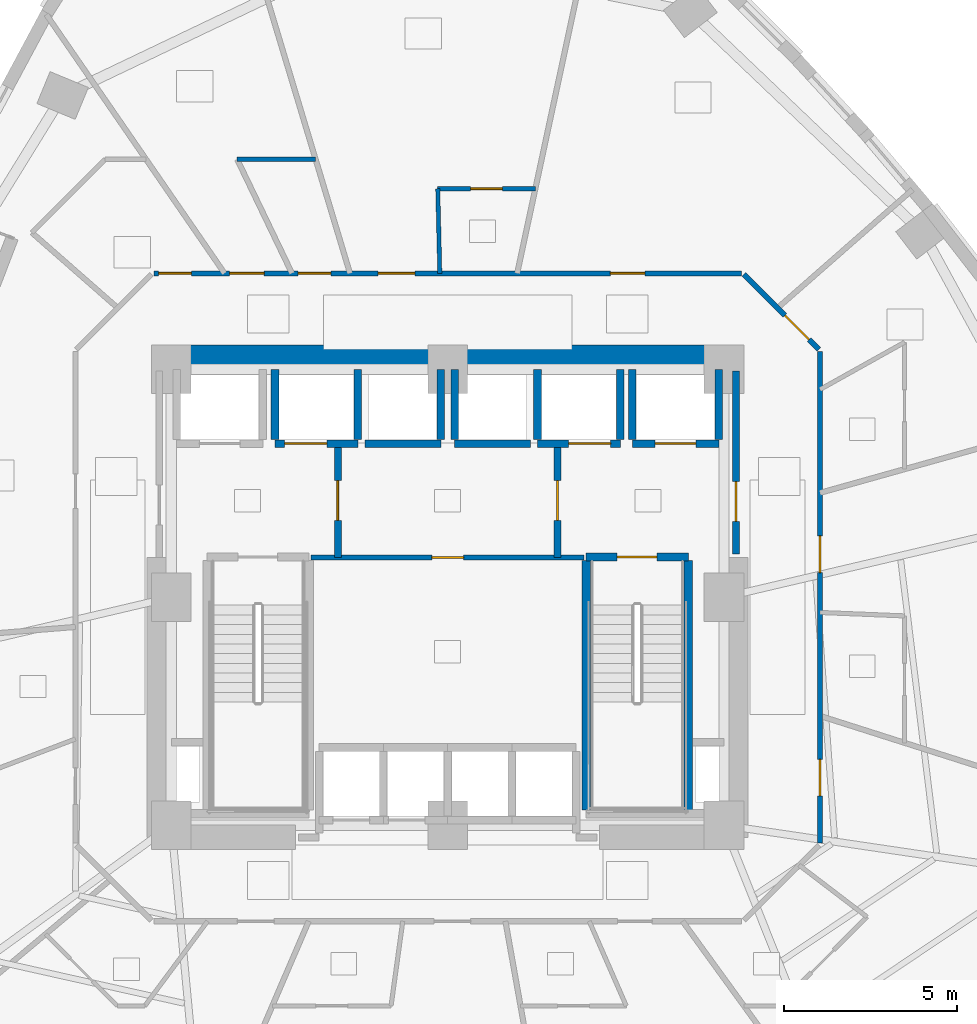
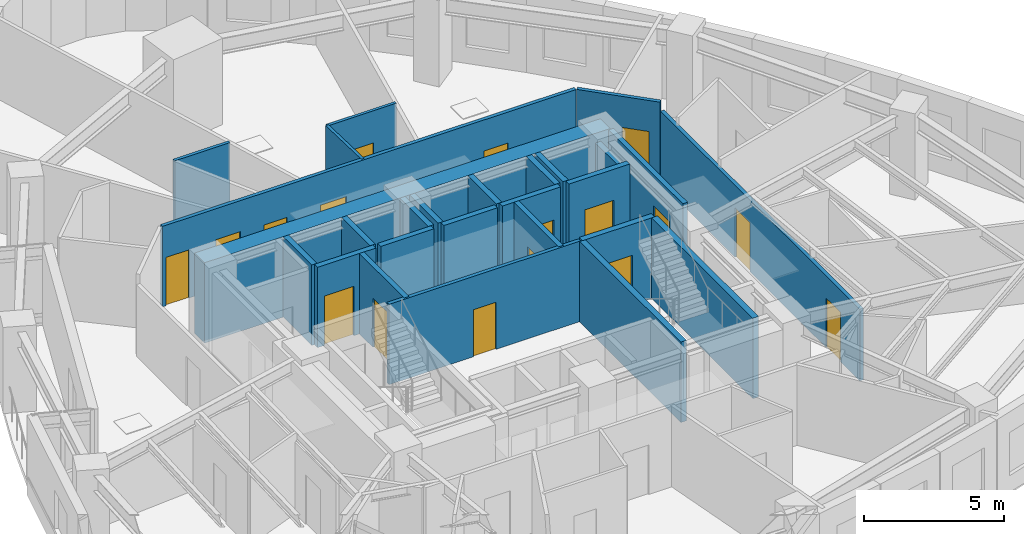
# One storey, part 7 of 12: 27 walls, 17 doors, 17 openings.
"""IFC4 building model written with IfcOpenShell, lengths in metres."""

from ifc_helpers import new_model, si_unit, direction, frame, frame_2d, origin, place, context, subcontext, project, spatial, rectangle, extrude, material, layer, layer_set, type_object, element, fill, save


model = new_model("IFC4")

# Units and contexts
model_context = context("Model", 3, precision=1e-05, world=origin(), true_north=direction((0.0, 1.0)))
body_context = subcontext(model_context, "Body", "Model", "MODEL_VIEW")
ifc_project = project(units=[si_unit("LENGTHUNIT", "METRE"), si_unit("AREAUNIT", "SQUARE_METRE"), si_unit("VOLUMEUNIT", "CUBIC_METRE"), si_unit("PLANEANGLEUNIT", "RADIAN"), si_unit("MASSUNIT", "GRAM", prefix="KILO")], contexts=[model_context])

# Site, building, storey
site_placement = place(None, origin())
site = spatial("IfcSite", under=ifc_project, at=site_placement, CompositionType="ELEMENT")
building_placement = place(site_placement, origin())
building = spatial("IfcBuilding", under=site, at=building_placement, Name="Ndelora Gate Hotel", CompositionType="ELEMENT")
storey_placement = place(building_placement, frame((0.0, 0.0, 60.5)))
storey = spatial("IfcBuildingStorey", under=building, at=storey_placement, Name="L14", CompositionType="ELEMENT", Elevation=60.5)

# Wall
ifc_material_1 = material(Name="Concrete C60/75", Category="concrete")
ifc_layer_1 = layer(ifc_material_1, 0.699951171875)
ifc_layer_set_1 = layer_set([ifc_layer_1], Name="Concrete C60/75")
wall_type_1 = type_object("IfcWallType", Name="WL-CORE-700", PredefinedType="SHEAR", material=ifc_layer_set_1)
wall_1_placement = place(storey_placement, frame((-8.35009765625, 6.949951171875, 0.0), z_axis=(0.0, 0.0, 1.0), x_axis=(1.0, 0.0, 0.0)))
element("IfcWall", 1, at=wall_1_placement, inside=storey, type_object=wall_type_1, Name="L14 Core Shear Wall N", PredefinedType="SHEAR", context=body_context, shape_type="SweptSolid", body=[
    extrude(rectangle(XDim=16.7001953125, YDim=0.699951171875, at=frame_2d((8.35009765625, 0.0))), origin(), (0.0, 0.0, 1.0), 3.5),
])

# Wall, opening, door
ifc_material_2 = material(Name="Concrete C40/50", Category="concrete")
ifc_layer_2 = layer(ifc_material_2, 0.199951171875)
ifc_layer_set_2 = layer_set([ifc_layer_2], Name="Concrete C40/50")
wall_type_2 = type_object("IfcWallType", Name="WL-FIRE-200", PredefinedType="PARTITIONING", material=ifc_layer_set_2)
wall_2_placement = place(storey_placement, frame((-3.179931640625, 1.14990234375, 0.0), z_axis=(0.0, 0.0, 1.0), x_axis=(0.0, 1.0, 0.0)))
wall_2 = element("IfcWall", 2, at=wall_2_placement, inside=storey, type_object=wall_type_2, Name="L14 Interior Wall IW-2", PredefinedType="PARTITIONING", context=body_context, shape_type="SweptSolid", body=[
    extrude(rectangle(XDim=3.300048828125, YDim=0.199951171875, at=frame_2d((1.64990234375, 0.0))), origin(), (0.0, 0.0, 1.0), 3.5),
])
opening_1_placement = place(wall_2_placement, frame((1.080078125, 0.0, 0.0)))
opening_1 = element("IfcOpeningElement", 3, at=opening_1_placement, cuts=wall_2, Name="Opening FD1", PredefinedType="OPENING", context=body_context, shape_type="SweptSolid", body=[
    extrude(rectangle(XDim=1.14990234375, YDim=2.14990234375, at=frame_2d((0.574951171875, 1.074951171875))), frame((0.0, 0.10986328125, 0.0), z_axis=(0.0, -1.0, 0.0), x_axis=(1.0, 0.0, 0.0)), (0.0, 0.0, 1.0), 0.219970703125),
])
ifc_material_3 = material(Name="Fire-Rated Timber-Veneer Steel Core", Category="steel")
door_type_1 = type_object("IfcDoorType", Name="DR-FD60", OperationType="SINGLE_SWING_LEFT", PredefinedType="DOOR", material=ifc_material_3)
door_1_placement = place(opening_1_placement, origin())
door_1 = element("IfcDoor", 4, at=door_1_placement, inside=storey, type_object=door_type_1, Name="L14 Firefighting Lobby West Door", OperationType="SINGLE_SWING_RIGHT", OverallHeight=2.14990234375, OverallWidth=1.14990234375, PredefinedType="DOOR", context=body_context, shape_type="SweptSolid", body=[
    extrude(rectangle(XDim=1.14990234375, YDim=2.14990234375, at=frame_2d((0.574951171875, 1.074951171875))), frame((0.0, 0.02490234375, 0.0), z_axis=(0.0, -1.0, 0.0), x_axis=(1.0, 0.0, 0.0)), (0.0, 0.0, 1.0), 0.050048828125),
])
fill(opening_1, door_1)

wall_3_placement = place(storey_placement, frame((3.179931640625, 1.14990234375, 0.0), z_axis=(0.0, 0.0, 1.0), x_axis=(0.0, 1.0, 0.0)))
wall_3 = element("IfcWall", 5, at=wall_3_placement, inside=storey, type_object=wall_type_2, Name="L14 Interior Wall IW-2", PredefinedType="PARTITIONING", context=body_context, shape_type="SweptSolid", body=[
    extrude(rectangle(XDim=3.300048828125, YDim=0.199951171875, at=frame_2d((1.64990234375, 0.0))), origin(), (0.0, 0.0, 1.0), 3.5),
])
opening_2_placement = place(wall_3_placement, frame((1.080078125, 0.0, 0.0)))
opening_2 = element("IfcOpeningElement", 6, at=opening_2_placement, cuts=wall_3, Name="Opening FD1", PredefinedType="OPENING", context=body_context, shape_type="SweptSolid", body=[
    extrude(rectangle(XDim=1.14990234375, YDim=2.14990234375, at=frame_2d((0.574951171875, 1.074951171875))), frame((0.0, 0.10986328125, 0.0), z_axis=(0.0, -1.0, 0.0), x_axis=(1.0, 0.0, 0.0)), (0.0, 0.0, 1.0), 0.219970703125),
])
door_2_placement = place(opening_2_placement, origin())
door_2 = element("IfcDoor", 7, at=door_2_placement, inside=storey, type_object=door_type_1, Name="L14 Firefighting Lobby East Door", OperationType="SINGLE_SWING_LEFT", OverallHeight=2.14990234375, OverallWidth=1.14990234375, PredefinedType="DOOR", context=body_context, shape_type="SweptSolid", body=[
    extrude(rectangle(XDim=1.14990234375, YDim=2.14990234375, at=frame_2d((0.574951171875, 1.074951171875))), frame((0.0, 0.02490234375, 0.0), z_axis=(0.0, -1.0, 0.0), x_axis=(1.0, 0.0, 0.0)), (0.0, 0.0, 1.0), 0.050048828125),
])
fill(opening_2, door_2)

wall_4_placement = place(storey_placement, frame((8.35009765625, 1.25, 0.0), z_axis=(0.0, 0.0, 1.0), x_axis=(0.0, 1.0, 0.0)))
wall_4 = element("IfcWall", 8, at=wall_4_placement, inside=storey, type_object=wall_type_2, Name="L14 Interior Wall IW-2", PredefinedType="PARTITIONING", context=body_context, shape_type="SweptSolid", body=[
    extrude(rectangle(XDim=5.300048828125, YDim=0.199951171875, at=frame_2d((2.64990234375, 0.0))), origin(), (0.0, 0.0, 1.0), 3.5),
])
opening_3_placement = place(wall_4_placement, frame((0.949951171875, 0.0, 0.0)))
opening_3 = element("IfcOpeningElement", 9, at=opening_3_placement, cuts=wall_4, Name="Opening FD1", PredefinedType="OPENING", context=body_context, shape_type="SweptSolid", body=[
    extrude(rectangle(XDim=1.14990234375, YDim=2.14990234375, at=frame_2d((0.574951171875, 1.074951171875))), frame((0.0, 0.10986328125, 0.0), z_axis=(0.0, -1.0, 0.0), x_axis=(1.0, 0.0, 0.0)), (0.0, 0.0, 1.0), 0.219970703125),
])
door_3_placement = place(opening_3_placement, origin())
door_3 = element("IfcDoor", 10, at=door_3_placement, inside=storey, type_object=door_type_1, Name="L14 Firefighting Lobby East Corridor Door", OperationType="SINGLE_SWING_RIGHT", OverallHeight=2.14990234375, OverallWidth=1.14990234375, PredefinedType="DOOR", context=body_context, shape_type="SweptSolid", body=[
    extrude(rectangle(XDim=1.14990234375, YDim=2.14990234375, at=frame_2d((0.574951171875, 1.074951171875))), frame((0.0, 0.02490234375, 0.0), z_axis=(0.0, -1.0, 0.0), x_axis=(1.0, 0.0, 0.0)), (0.0, 0.0, 1.0), 0.050048828125),
])
fill(opening_3, door_3)

ifc_material_4 = material(Name="Fire-Rated Gypsum Stud Partition", Category="gypsum")
ifc_layer_3 = layer(ifc_material_4, 0.14990234375)
ifc_layer_set_3 = layer_set([ifc_layer_3], Name="Fire-Rated Gypsum Stud Partition")
wall_type_3 = type_object("IfcWallType", Name="WL-PART-150", PredefinedType="PARTITIONING", material=ifc_layer_set_3)
wall_5_placement = place(storey_placement, frame((3.949951171875, 1.14990234375, 0.0), z_axis=(0.0, 0.0, 1.0), x_axis=(-1.0, 0.0, 0.0)))
wall_5 = element("IfcWall", 11, at=wall_5_placement, inside=storey, type_object=wall_type_3, Name="L14 Interior Wall IW-5", PredefinedType="PARTITIONING", context=body_context, shape_type="SweptSolid", body=[
    extrude(rectangle(XDim=7.89990234375, YDim=0.14990234375, at=frame_2d((3.949951171875, 0.0))), origin(), (0.0, 0.0, 1.0), 3.5),
])
opening_4_placement = place(wall_5_placement, frame((3.489990234375, 0.0, 0.0)))
opening_4 = element("IfcOpeningElement", 12, at=opening_4_placement, cuts=wall_5, Name="Opening D04", PredefinedType="OPENING", context=body_context, shape_type="SweptSolid", body=[
    extrude(rectangle(XDim=0.919921875, YDim=2.050048828125, at=frame_2d((0.4599609375, 1.02490234375))), frame((0.0, 0.0849609375, 0.0), z_axis=(0.0, -1.0, 0.0), x_axis=(1.0, 0.0, 0.0)), (0.0, 0.0, 1.0), 0.169921875),
])
ifc_material_5 = material(Name="Painted Steel Core Service Door", Category="steel")
door_type_2 = type_object("IfcDoorType", Name="DR-SER-920", OperationType="SINGLE_SWING_LEFT", PredefinedType="DOOR", material=ifc_material_5)
door_4_placement = place(opening_4_placement, origin())
door_4 = element("IfcDoor", 13, at=door_4_placement, inside=storey, type_object=door_type_2, Name="L14 Core Electrical and Linen Service Store Door", OperationType="SINGLE_SWING_LEFT", OverallHeight=2.050048828125, OverallWidth=0.919921875, PredefinedType="DOOR", context=body_context, shape_type="SweptSolid", body=[
    extrude(rectangle(XDim=0.919921875, YDim=2.050048828125, at=frame_2d((0.4599609375, 1.02490234375))), frame((0.0, 0.02490234375, 0.0), z_axis=(0.0, -1.0, 0.0), x_axis=(1.0, 0.0, 0.0)), (0.0, 0.0, 1.0), 0.050048828125),
])
fill(opening_4, door_4)

# Wall, openings, doors
wall_6_placement = place(storey_placement, frame((10.780029296875, 7.110107421875, 0.0), z_axis=(0.0, 0.0, 1.0), x_axis=(0.0, -1.0, 0.0)))
wall_6 = element("IfcWall", 14, at=wall_6_placement, inside=storey, type_object=wall_type_3, Name="L14 Interior Wall IW-5", PredefinedType="PARTITIONING", context=body_context, shape_type="SweptSolid", body=[
    extrude(rectangle(XDim=14.22021484375, YDim=0.14990234375, at=frame_2d((7.110107421875, 0.0))), origin(), (0.0, 0.0, 1.0), 3.1201171875),
])
opening_5_placement = place(wall_6_placement, frame((5.33447265625, 0.0, 0.0)))
opening_5 = element("IfcOpeningElement", 15, at=opening_5_placement, cuts=wall_6, Name="Opening D07", PredefinedType="OPENING", context=body_context, shape_type="SweptSolid", body=[
    extrude(rectangle(XDim=1.06005859375, YDim=2.14990234375, at=frame_2d((0.530029296875, 1.074951171875))), frame((0.0, 0.0849609375, 0.0), z_axis=(0.0, -1.0, 0.0), x_axis=(1.0, 0.0, 0.0)), (0.0, 0.0, 1.0), 0.169921875),
])
opening_6_placement = place(wall_6_placement, frame((11.8017578125, 0.0, 0.0)))
opening_6 = element("IfcOpeningElement", 16, at=opening_6_placement, cuts=wall_6, Name="Opening D07", PredefinedType="OPENING", context=body_context, shape_type="SweptSolid", body=[
    extrude(rectangle(XDim=1.06005859375, YDim=2.14990234375, at=frame_2d((0.530029296875, 1.074951171875))), frame((0.0, 0.0849609375, 0.0), z_axis=(0.0, -1.0, 0.0), x_axis=(1.0, 0.0, 0.0)), (0.0, 0.0, 1.0), 0.169921875),
])
ifc_material_6 = material(Name="Diplomatic Suite Acoustic Entrance Door", Category="wood")
door_type_3 = type_object("IfcDoorType", Name="DR-SUITE-1060", OperationType="SINGLE_SWING_LEFT", PredefinedType="DOOR", material=ifc_material_6)
door_5_placement = place(opening_5_placement, origin())
door_5 = element("IfcDoor", 17, at=door_5_placement, inside=storey, type_object=door_type_3, Name="L14 Corner Diplomatic Suite 1706 Entrance Door", OperationType="SINGLE_SWING_LEFT", OverallHeight=2.14990234375, OverallWidth=1.06005859375, PredefinedType="DOOR", context=body_context, shape_type="SweptSolid", body=[
    extrude(rectangle(XDim=1.06005859375, YDim=2.14990234375, at=frame_2d((0.530029296875, 1.074951171875))), frame((0.0, 0.02490234375, 0.0), z_axis=(0.0, -1.0, 0.0), x_axis=(1.0, 0.0, 0.0)), (0.0, 0.0, 1.0), 0.050048828125),
])
fill(opening_5, door_5)
door_6_placement = place(opening_6_placement, origin())
door_6 = element("IfcDoor", 18, at=door_6_placement, inside=storey, type_object=door_type_3, Name="L14 Deluxe King Junior Suite 1705 Entrance Door", OperationType="SINGLE_SWING_LEFT", OverallHeight=2.14990234375, OverallWidth=1.06005859375, PredefinedType="DOOR", context=body_context, shape_type="SweptSolid", body=[
    extrude(rectangle(XDim=1.06005859375, YDim=2.14990234375, at=frame_2d((0.530029296875, 1.074951171875))), frame((0.0, 0.02490234375, 0.0), z_axis=(0.0, -1.0, 0.0), x_axis=(1.0, 0.0, 0.0)), (0.0, 0.0, 1.0), 0.050048828125),
])
fill(opening_6, door_6)

# Wall, opening, door
wall_7_placement = place(storey_placement, frame((8.578369140625, 9.351806640625, 0.0), z_axis=(0.0, 0.0, 1.0), x_axis=(0.707067066127, -0.707146494016, 0.0)))
wall_7 = element("IfcWall", 19, at=wall_7_placement, inside=storey, type_object=wall_type_3, Name="L14 Interior Wall IW-5", PredefinedType="PARTITIONING", context=body_context, shape_type="SweptSolid", body=[
    extrude(rectangle(XDim=3.07373046875, YDim=0.14990234375, at=frame_2d((1.536865234375, 0.0))), origin(), (0.0, 0.0, 1.0), 3.5),
])
opening_7_placement = place(wall_7_placement, frame((1.67578125, 0.0, 0.0)))
opening_7 = element("IfcOpeningElement", 20, at=opening_7_placement, cuts=wall_7, Name="Opening D01", PredefinedType="OPENING", context=body_context, shape_type="SweptSolid", body=[
    extrude(rectangle(XDim=1.0, YDim=2.14990234375, at=frame_2d((0.5, 1.074951171875))), frame((0.0, 0.0849609375, 0.0), z_axis=(0.0, -1.0, 0.0), x_axis=(1.0, 0.0, 0.0)), (0.0, 0.0, 1.0), 0.169921875),
])
ifc_material_7 = material(Name="Acoustic Hardwood Guest Entrance Door", Category="wood")
door_type_4 = type_object("IfcDoorType", Name="DR-COR-1000", OperationType="SINGLE_SWING_LEFT", PredefinedType="DOOR", material=ifc_material_7)
door_7_placement = place(opening_7_placement, origin())
door_7 = element("IfcDoor", 21, at=door_7_placement, inside=storey, type_object=door_type_4, Name="L14 Twin Guest Room 1707 Entrance Door", OperationType="SINGLE_SWING_RIGHT", OverallHeight=2.14990234375, OverallWidth=1.0, PredefinedType="DOOR", context=body_context, shape_type="SweptSolid", body=[
    extrude(rectangle(XDim=1.0, YDim=2.14990234375, at=frame_2d((0.5, 1.074951171875))), frame((0.0, 0.02490234375, 0.0), z_axis=(0.0, -1.0, 0.0), x_axis=(1.0, 0.0, 0.0)), (0.0, 0.0, 1.0), 0.050048828125),
])
fill(opening_7, door_7)

# Wall, openings, doors
wall_8_placement = place(storey_placement, frame((-8.510009765625, 9.3798828125, 0.0), z_axis=(0.0, 0.0, 1.0), x_axis=(1.0, 0.0, 0.0)))
wall_8 = element("IfcWall", 22, at=wall_8_placement, inside=storey, type_object=wall_type_3, Name="L14 Interior Wall IW-5", PredefinedType="PARTITIONING", context=body_context, shape_type="SweptSolid", body=[
    extrude(rectangle(XDim=17.02001953125, YDim=0.14990234375, at=frame_2d((8.510009765625, 0.0))), origin(), (0.0, 0.0, 1.0), 3.5),
])
opening_8_placement = place(wall_8_placement, frame((4.1767578125, 0.0, 0.0)))
opening_8 = element("IfcOpeningElement", 23, at=opening_8_placement, cuts=wall_8, Name="Opening D05", PredefinedType="OPENING", context=body_context, shape_type="SweptSolid", body=[
    extrude(rectangle(XDim=0.949951171875, YDim=2.10009765625, at=frame_2d((0.47509765625, 1.050048828125))), frame((0.0, 0.0849609375, 0.0), z_axis=(0.0, -1.0, 0.0), x_axis=(1.0, 0.0, 0.0)), (0.0, 0.0, 1.0), 0.169921875),
])
opening_9_placement = place(wall_8_placement, frame((0.139892578125, 0.0, 0.0)))
opening_9 = element("IfcOpeningElement", 24, at=opening_9_placement, cuts=wall_8, Name="Opening D05", PredefinedType="OPENING", context=body_context, shape_type="SweptSolid", body=[
    extrude(rectangle(XDim=0.949951171875, YDim=2.10009765625, at=frame_2d((0.47509765625, 1.050048828125))), frame((0.0, 0.0849609375, 0.0), z_axis=(0.0, -1.0, 0.0), x_axis=(1.0, 0.0, 0.0)), (0.0, 0.0, 1.0), 0.169921875),
])
opening_10_placement = place(wall_8_placement, frame((2.1943359375, 0.0, 0.0)))
opening_10 = element("IfcOpeningElement", 25, at=opening_10_placement, cuts=wall_8, Name="Opening D01", PredefinedType="OPENING", context=body_context, shape_type="SweptSolid", body=[
    extrude(rectangle(XDim=1.0, YDim=2.14990234375, at=frame_2d((0.5, 1.074951171875))), frame((0.0, 0.0849609375, 0.0), z_axis=(0.0, -1.0, 0.0), x_axis=(1.0, 0.0, 0.0)), (0.0, 0.0, 1.0), 0.169921875),
])
opening_11_placement = place(wall_8_placement, frame((13.221435546875, 0.0, 0.0)))
opening_11 = element("IfcOpeningElement", 26, at=opening_11_placement, cuts=wall_8, Name="Opening D01", PredefinedType="OPENING", context=body_context, shape_type="SweptSolid", body=[
    extrude(rectangle(XDim=1.0, YDim=2.14990234375, at=frame_2d((0.5, 1.074951171875))), frame((0.0, 0.0849609375, 0.0), z_axis=(0.0, -1.0, 0.0), x_axis=(1.0, 0.0, 0.0)), (0.0, 0.0, 1.0), 0.169921875),
])
opening_12_placement = place(wall_8_placement, frame((6.498046875, 0.0, 0.0)))
opening_12 = element("IfcOpeningElement", 27, at=opening_12_placement, cuts=wall_8, Name="Opening D07", PredefinedType="OPENING", context=body_context, shape_type="SweptSolid", body=[
    extrude(rectangle(XDim=1.06005859375, YDim=2.14990234375, at=frame_2d((0.530029296875, 1.074951171875))), frame((0.0, 0.0849609375, 0.0), z_axis=(0.0, -1.0, 0.0), x_axis=(1.0, 0.0, 0.0)), (0.0, 0.0, 1.0), 0.169921875),
])
ifc_material_8 = material(Name="Accessible Restroom Wide-Clearance Door", Category="wood")
door_type_5 = type_object("IfcDoorType", Name="DR-ACC-950", OperationType="SINGLE_SWING_LEFT", PredefinedType="DOOR", material=ifc_material_8)
door_8_placement = place(opening_8_placement, origin())
door_8 = element("IfcDoor", 28, at=door_8_placement, inside=storey, type_object=door_type_5, Name="L14 Male Public Restroom Entrance Door", OperationType="SINGLE_SWING_RIGHT", OverallHeight=2.10009765625, OverallWidth=0.949951171875, PredefinedType="DOOR", context=body_context, shape_type="SweptSolid", body=[
    extrude(rectangle(XDim=0.949951171875, YDim=2.10009765625, at=frame_2d((0.47509765625, 1.050048828125))), frame((0.0, 0.02490234375, 0.0), z_axis=(0.0, -1.0, 0.0), x_axis=(1.0, 0.0, 0.0)), (0.0, 0.0, 1.0), 0.050048828125),
])
fill(opening_8, door_8)
door_9_placement = place(opening_9_placement, origin())
door_9 = element("IfcDoor", 29, at=door_9_placement, inside=storey, type_object=door_type_5, Name="L14 Accessible WC Entrance Door", OperationType="SINGLE_SWING_LEFT", OverallHeight=2.10009765625, OverallWidth=0.949951171875, PredefinedType="DOOR", context=body_context, shape_type="SweptSolid", body=[
    extrude(rectangle(XDim=0.949951171875, YDim=2.10009765625, at=frame_2d((0.47509765625, 1.050048828125))), frame((0.0, 0.02490234375, 0.0), z_axis=(0.0, -1.0, 0.0), x_axis=(1.0, 0.0, 0.0)), (0.0, 0.0, 1.0), 0.050048828125),
])
fill(opening_9, door_9)
door_10_placement = place(opening_10_placement, origin())
door_10 = element("IfcDoor", 30, at=door_10_placement, inside=storey, type_object=door_type_4, Name="L14 Housekeeping and Linen Room Entrance Door", OperationType="SINGLE_SWING_RIGHT", OverallHeight=2.14990234375, OverallWidth=1.0, PredefinedType="DOOR", context=body_context, shape_type="SweptSolid", body=[
    extrude(rectangle(XDim=1.0, YDim=2.14990234375, at=frame_2d((0.5, 1.074951171875))), frame((0.0, 0.02490234375, 0.0), z_axis=(0.0, -1.0, 0.0), x_axis=(1.0, 0.0, 0.0)), (0.0, 0.0, 1.0), 0.050048828125),
])
fill(opening_10, door_10)
door_11_placement = place(opening_11_placement, origin())
door_11 = element("IfcDoor", 31, at=door_11_placement, inside=storey, type_object=door_type_4, Name="L14 Executive Meeting Room Entrance Door", OperationType="SINGLE_SWING_LEFT", OverallHeight=2.14990234375, OverallWidth=1.0, PredefinedType="DOOR", context=body_context, shape_type="SweptSolid", body=[
    extrude(rectangle(XDim=1.0, YDim=2.14990234375, at=frame_2d((0.5, 1.074951171875))), frame((0.0, 0.02490234375, 0.0), z_axis=(0.0, -1.0, 0.0), x_axis=(1.0, 0.0, 0.0)), (0.0, 0.0, 1.0), 0.050048828125),
])
fill(opening_11, door_11)
door_12_placement = place(opening_12_placement, origin())
door_12 = element("IfcDoor", 32, at=door_12_placement, inside=storey, type_object=door_type_3, Name="L14 Deluxe King Junior Suite 1708 Entrance Door", OperationType="SINGLE_SWING_RIGHT", OverallHeight=2.14990234375, OverallWidth=1.06005859375, PredefinedType="DOOR", context=body_context, shape_type="SweptSolid", body=[
    extrude(rectangle(XDim=1.06005859375, YDim=2.14990234375, at=frame_2d((0.530029296875, 1.074951171875))), frame((0.0, 0.02490234375, 0.0), z_axis=(0.0, -1.0, 0.0), x_axis=(1.0, 0.0, 0.0)), (0.0, 0.0, 1.0), 0.050048828125),
])
fill(opening_12, door_12)

# Wall, opening, door
ifc_layer_4 = layer(ifc_material_2, 0.219970703125)
ifc_layer_set_4 = layer_set([ifc_layer_4], Name="Concrete C40/50")
wall_type_4 = type_object("IfcWallType", Name="WL-SHAFT-220", PredefinedType="PARTITIONING", material=ifc_layer_set_4)
wall_9_placement = place(storey_placement, frame((5.35009765625, 4.449951171875, 0.0), z_axis=(0.0, 0.0, 1.0), x_axis=(1.0, 0.0, 0.0)))
wall_9 = element("IfcWall", 33, at=wall_9_placement, inside=storey, type_object=wall_type_4, Name="L14 Interior Wall IW-1", PredefinedType="PARTITIONING", context=body_context, shape_type="SweptSolid", body=[
    extrude(rectangle(XDim=2.5, YDim=0.219970703125, at=frame_2d((1.25, 0.0))), origin(), (0.0, 0.0, 1.0), 3.5),
])
opening_13_placement = place(wall_9_placement, frame((0.659912109375, 0.0, 0.0)))
opening_13 = element("IfcOpeningElement", 34, at=opening_13_placement, cuts=wall_9, Name="Opening LD5", PredefinedType="OPENING", context=body_context, shape_type="SweptSolid", body=[
    extrude(rectangle(XDim=1.179931640625, YDim=2.14990234375, at=frame_2d((0.58984375, 1.074951171875))), frame((0.0, 0.1201171875, 0.0), z_axis=(0.0, -1.0, 0.0), x_axis=(1.0, 0.0, 0.0)), (0.0, 0.0, 1.0), 0.239990234375),
])
ifc_material_9 = material(Name="Firefighting Lift Stainless Sliding Landing Door", Category="metal")
door_type_6 = type_object("IfcDoorType", Name="DR-LD5", OperationType="DOUBLE_DOOR_SLIDING", PredefinedType="DOOR", material=ifc_material_9)
door_13_placement = place(opening_13_placement, origin())
door_13 = element("IfcDoor", 35, at=door_13_placement, inside=storey, type_object=door_type_6, Name="L14 Lift Landing Sliding Door FFL2", OperationType="DOUBLE_DOOR_SLIDING", OverallHeight=2.14990234375, OverallWidth=1.179931640625, PredefinedType="DOOR", context=body_context, shape_type="SweptSolid", body=[
    extrude(rectangle(XDim=1.179931640625, YDim=2.14990234375, at=frame_2d((0.58984375, 1.074951171875))), frame((0.0, 0.02490234375, 0.0), z_axis=(0.0, -1.0, 0.0), x_axis=(1.0, 0.0, 0.0)), (0.0, 0.0, 1.0), 0.050048828125),
])
fill(opening_13, door_13)

# Walls
wall_10_placement = place(storey_placement, frame((5.35009765625, 4.570068359375, 0.0), z_axis=(0.0, 0.0, 1.0), x_axis=(0.0, 1.0, 0.0)))
element("IfcWall", 36, at=wall_10_placement, inside=storey, type_object=wall_type_4, Name="L14 Interior Wall IW-1", PredefinedType="PARTITIONING", context=body_context, shape_type="SweptSolid", body=[
    extrude(rectangle(XDim=2.030029296875, YDim=0.219970703125, at=frame_2d((1.01513671875, 0.0))), origin(), (0.0, 0.0, 1.0), 3.5),
])
wall_11_placement = place(storey_placement, frame((7.85009765625, 4.570068359375, 0.0), z_axis=(0.0, 0.0, 1.0), x_axis=(0.0, 1.0, 0.0)))
element("IfcWall", 37, at=wall_11_placement, inside=storey, type_object=wall_type_4, Name="L14 Interior Wall IW-1", PredefinedType="PARTITIONING", context=body_context, shape_type="SweptSolid", body=[
    extrude(rectangle(XDim=2.030029296875, YDim=0.219970703125, at=frame_2d((1.01513671875, 0.0))), origin(), (0.0, 0.0, 1.0), 3.080078125),
])

# Wall, opening, door
wall_12_placement = place(storey_placement, frame((-5.0, 4.449951171875, 0.0), z_axis=(0.0, 0.0, 1.0), x_axis=(1.0, 0.0, 0.0)))
wall_12 = element("IfcWall", 38, at=wall_12_placement, inside=storey, type_object=wall_type_4, Name="L14 Interior Wall IW-1", PredefinedType="PARTITIONING", context=body_context, shape_type="SweptSolid", body=[
    extrude(rectangle(XDim=2.39990234375, YDim=0.219970703125, at=frame_2d((1.199951171875, 0.0))), origin(), (0.0, 0.0, 1.0), 3.5),
])
opening_14_placement = place(wall_12_placement, frame((0.280029296875, 0.0, 0.0)))
opening_14 = element("IfcOpeningElement", 39, at=opening_14_placement, cuts=wall_12, Name="Opening LD6", PredefinedType="OPENING", context=body_context, shape_type="SweptSolid", body=[
    extrude(rectangle(XDim=1.219970703125, YDim=2.14990234375, at=frame_2d((0.60986328125, 1.074951171875))), frame((0.0, 0.1201171875, 0.0), z_axis=(0.0, -1.0, 0.0), x_axis=(1.0, 0.0, 0.0)), (0.0, 0.0, 1.0), 0.239990234375),
])
ifc_material_10 = material(Name="Heavy-Duty Service Lift Sliding Landing Door", Category="wood")
door_type_7 = type_object("IfcDoorType", Name="DR-LD6", OperationType="DOUBLE_DOOR_SLIDING", PredefinedType="DOOR", material=ifc_material_10)
door_14_placement = place(opening_14_placement, origin())
door_14 = element("IfcDoor", 40, at=door_14_placement, inside=storey, type_object=door_type_7, Name="L14 Lift Landing Sliding Door SVL1", OperationType="DOUBLE_DOOR_SLIDING", OverallHeight=2.14990234375, OverallWidth=1.219970703125, PredefinedType="DOOR", context=body_context, shape_type="SweptSolid", body=[
    extrude(rectangle(XDim=1.219970703125, YDim=2.14990234375, at=frame_2d((0.60986328125, 1.074951171875))), frame((0.0, 0.02490234375, 0.0), z_axis=(0.0, -1.0, 0.0), x_axis=(1.0, 0.0, 0.0)), (0.0, 0.0, 1.0), 0.050048828125),
])
fill(opening_14, door_14)

# Walls
for number, where, z_axis, x_axis, name in (
    (41, (-5.0, 4.570068359375, 0.0), (0.0, 0.0, 1.0), (0.0, 1.0, 0.0), "L14 Interior Wall IW-1"),
    (42, (-2.60009765625, 4.570068359375, 0.0), (0.0, 0.0, 1.0), (0.0, 1.0, 0.0), "L14 Interior Wall IW-1"),
):
    element("IfcWall", number, at=place(storey_placement, frame(where, z_axis=z_axis, x_axis=x_axis)), inside=storey, type_object=wall_type_4, Name=name, PredefinedType="PARTITIONING", context=body_context, shape_type="SweptSolid", body=[
        extrude(rectangle(XDim=2.030029296875, YDim=0.219970703125, at=frame_2d((1.01513671875, 0.0))), origin(), (0.0, 0.0, 1.0), 3.5),
    ])

# Wall, opening, door
wall_13_placement = place(storey_placement, frame((2.60009765625, 4.449951171875, 0.0), z_axis=(0.0, 0.0, 1.0), x_axis=(1.0, 0.0, 0.0)))
wall_13 = element("IfcWall", 43, at=wall_13_placement, inside=storey, type_object=wall_type_4, Name="L14 Interior Wall IW-1", PredefinedType="PARTITIONING", context=body_context, shape_type="SweptSolid", body=[
    extrude(rectangle(XDim=2.39990234375, YDim=0.219970703125, at=frame_2d((1.199951171875, 0.0))), origin(), (0.0, 0.0, 1.0), 3.5),
])
opening_15_placement = place(wall_13_placement, frame((0.89990234375, 0.0, 0.0)))
opening_15 = element("IfcOpeningElement", 44, at=opening_15_placement, cuts=wall_13, Name="Opening LD6", PredefinedType="OPENING", context=body_context, shape_type="SweptSolid", body=[
    extrude(rectangle(XDim=1.219970703125, YDim=2.14990234375, at=frame_2d((0.60986328125, 1.074951171875))), frame((0.0, 0.1201171875, 0.0), z_axis=(0.0, -1.0, 0.0), x_axis=(1.0, 0.0, 0.0)), (0.0, 0.0, 1.0), 0.239990234375),
])
door_15_placement = place(opening_15_placement, origin())
door_15 = element("IfcDoor", 45, at=door_15_placement, inside=storey, type_object=door_type_7, Name="L14 Lift Landing Sliding Door SVL2", OperationType="DOUBLE_DOOR_SLIDING", OverallHeight=2.14990234375, OverallWidth=1.219970703125, PredefinedType="DOOR", context=body_context, shape_type="SweptSolid", body=[
    extrude(rectangle(XDim=1.219970703125, YDim=2.14990234375, at=frame_2d((0.60986328125, 1.074951171875))), frame((0.0, 0.02490234375, 0.0), z_axis=(0.0, -1.0, 0.0), x_axis=(1.0, 0.0, 0.0)), (0.0, 0.0, 1.0), 0.050048828125),
])
fill(opening_15, door_15)

# Walls
for number, where, z_axis, x_axis, name in (
    (46, (2.60009765625, 4.570068359375, 0.0), (0.0, 0.0, 1.0), (0.0, 1.0, 0.0), "L14 Interior Wall IW-1"),
    (47, (5.0, 4.570068359375, 0.0), (0.0, 0.0, 1.0), (0.0, 1.0, 0.0), "L14 Interior Wall IW-1"),
):
    element("IfcWall", number, at=place(storey_placement, frame(where, z_axis=z_axis, x_axis=x_axis)), inside=storey, type_object=wall_type_4, Name=name, PredefinedType="PARTITIONING", context=body_context, shape_type="SweptSolid", body=[
        extrude(rectangle(XDim=2.030029296875, YDim=0.219970703125, at=frame_2d((1.01513671875, 0.0))), origin(), (0.0, 0.0, 1.0), 3.5),
    ])
wall_14_placement = place(storey_placement, frame((-2.39990234375, 4.449951171875, 0.0), z_axis=(0.0, 0.0, 1.0), x_axis=(1.0, 0.0, 0.0)))
element("IfcWall", 48, at=wall_14_placement, inside=storey, type_object=wall_type_4, Name="L14 Interior Wall IW-1", PredefinedType="PARTITIONING", context=body_context, shape_type="SweptSolid", body=[
    extrude(rectangle(XDim=2.199951171875, YDim=0.219970703125, at=frame_2d((1.10009765625, 0.0))), origin(), (0.0, 0.0, 1.0), 3.5),
])
wall_15_placement = place(storey_placement, frame((-0.199951171875, 4.570068359375, 0.0), z_axis=(0.0, 0.0, 1.0), x_axis=(0.0, 1.0, 0.0)))
element("IfcWall", 49, at=wall_15_placement, inside=storey, type_object=wall_type_4, Name="L14 Interior Wall IW-1", PredefinedType="PARTITIONING", context=body_context, shape_type="SweptSolid", body=[
    extrude(rectangle(XDim=2.030029296875, YDim=0.219970703125, at=frame_2d((1.01513671875, 0.0))), origin(), (0.0, 0.0, 1.0), 3.5),
])
wall_16_placement = place(storey_placement, frame((0.199951171875, 4.449951171875, 0.0), z_axis=(0.0, 0.0, 1.0), x_axis=(1.0, 0.0, 0.0)))
element("IfcWall", 50, at=wall_16_placement, inside=storey, type_object=wall_type_4, Name="L14 Interior Wall IW-1", PredefinedType="PARTITIONING", context=body_context, shape_type="SweptSolid", body=[
    extrude(rectangle(XDim=2.199951171875, YDim=0.219970703125, at=frame_2d((1.10009765625, 0.0))), origin(), (0.0, 0.0, 1.0), 3.5),
])
wall_17_placement = place(storey_placement, frame((0.199951171875, 4.570068359375, 0.0), z_axis=(0.0, 0.0, 1.0), x_axis=(0.0, 1.0, 0.0)))
element("IfcWall", 51, at=wall_17_placement, inside=storey, type_object=wall_type_4, Name="L14 Interior Wall IW-1", PredefinedType="PARTITIONING", context=body_context, shape_type="SweptSolid", body=[
    extrude(rectangle(XDim=2.030029296875, YDim=0.219970703125, at=frame_2d((1.01513671875, 0.0))), origin(), (0.0, 0.0, 1.0), 3.5),
])
ifc_material_11 = material(Name="Concrete C50/60", Category="concrete")
ifc_layer_5 = layer(ifc_material_11, 0.239990234375)
ifc_layer_set_5 = layer_set([ifc_layer_5], Name="Concrete C50/60")
wall_type_5 = type_object("IfcWallType", Name="WL-STAIR-240", PredefinedType="SHEAR", material=ifc_layer_set_5)
for number, where, z_axis, x_axis, name in (
    (52, (4.010009765625, -6.159912109375, 0.0), (0.0, 0.0, 1.0), (0.0, 1.0, 0.0), "L14 Stair Core Shear Wall SW-ST"),
    (53, (6.969970703125, -6.159912109375, 0.0), (0.0, 0.0, 1.0), (0.0, 1.0, 0.0), "L14 Stair Core Shear Wall SW-ST"),
):
    element("IfcWall", number, at=place(storey_placement, frame(where, z_axis=z_axis, x_axis=x_axis)), inside=storey, type_object=wall_type_5, Name=name, PredefinedType="SHEAR", context=body_context, shape_type="SweptSolid", body=[
        extrude(rectangle(XDim=7.219970703125, YDim=0.239990234375, at=frame_2d((3.60986328125, 0.0))), origin(), (0.0, 0.0, 1.0), 3.5),
    ])

# Wall, opening, door
wall_18_placement = place(storey_placement, frame((4.010009765625, 1.169921875, 0.0), z_axis=(0.0, 0.0, 1.0), x_axis=(1.0, 0.0, 0.0)))
wall_18 = element("IfcWall", 54, at=wall_18_placement, inside=storey, type_object=wall_type_5, Name="L14 Stair Core Shear Wall SW-ST", PredefinedType="SHEAR", context=body_context, shape_type="SweptSolid", body=[
    extrude(rectangle(XDim=2.9599609375, YDim=0.239990234375, at=frame_2d((1.47998046875, 0.0))), origin(), (0.0, 0.0, 1.0), 3.5),
])
opening_16_placement = place(wall_18_placement, frame((0.89990234375, 0.0, 0.0)))
opening_16 = element("IfcOpeningElement", 55, at=opening_16_placement, cuts=wall_18, Name="Opening FD1", PredefinedType="OPENING", context=body_context, shape_type="SweptSolid", body=[
    extrude(rectangle(XDim=1.14990234375, YDim=2.14990234375, at=frame_2d((0.574951171875, 1.074951171875))), frame((0.0, 0.1298828125, 0.0), z_axis=(0.0, -1.0, 0.0), x_axis=(1.0, 0.0, 0.0)), (0.0, 0.0, 1.0), 0.260009765625),
])
door_16_placement = place(opening_16_placement, origin())
door_16 = element("IfcDoor", 56, at=door_16_placement, inside=storey, type_object=door_type_1, Name="L14 Exit Stair ST5 Door", OperationType="SINGLE_SWING_RIGHT", OverallHeight=2.14990234375, OverallWidth=1.14990234375, PredefinedType="DOOR", context=body_context, shape_type="SweptSolid", body=[
    extrude(rectangle(XDim=1.14990234375, YDim=2.14990234375, at=frame_2d((0.574951171875, 1.074951171875))), frame((0.0, 0.02490234375, 0.0), z_axis=(0.0, -1.0, 0.0), x_axis=(1.0, 0.0, 0.0)), (0.0, 0.0, 1.0), 0.050048828125),
])
fill(opening_16, door_16)

# Wall
ifc_material_12 = material(Name="Moisture-Resistant Bathroom Tile Partition", Category="gypsum")
ifc_layer_6 = layer(ifc_material_12, 0.1201171875)
ifc_layer_set_6 = layer_set([ifc_layer_6], Name="Moisture-Resistant Bathroom Tile Partition")
wall_type_6 = type_object("IfcWallType", Name="WL-WET-120", PredefinedType="PARTITIONING", material=ifc_layer_set_6)
wall_19_placement = place(storey_placement, frame((-0.227294921875, 9.3798828125, 0.0), z_axis=(0.0, 0.0, 1.0), x_axis=(-0.024305292765, 0.999704582736, 0.0)))
element("IfcWall", 57, at=wall_19_placement, inside=storey, type_object=wall_type_6, Name="L14 Interior Wall IW-7", PredefinedType="PARTITIONING", context=body_context, shape_type="SweptSolid", body=[
    extrude(rectangle(XDim=2.450927734375, YDim=0.1201171875, at=frame_2d((1.2255859375, 0.0))), origin(), (0.0, 0.0, 1.0), 3.5),
])

# Wall, opening, door
wall_20_placement = place(storey_placement, frame((-0.286865234375, 11.830078125, 0.0), z_axis=(0.0, 0.0, 1.0), x_axis=(1.0, 0.0, 0.0)))
wall_20 = element("IfcWall", 58, at=wall_20_placement, inside=storey, type_object=wall_type_6, Name="L14 Interior Wall IW-7", PredefinedType="PARTITIONING", context=body_context, shape_type="SweptSolid", body=[
    extrude(rectangle(XDim=2.825439453125, YDim=0.1201171875, at=frame_2d((1.41259765625, 0.0))), origin(), (0.0, 0.0, 1.0), 3.5),
])
opening_17_placement = place(wall_20_placement, frame((0.95263671875, 0.0, 0.0)))
opening_17 = element("IfcOpeningElement", 59, at=opening_17_placement, cuts=wall_20, Name="Opening D03", PredefinedType="OPENING", context=body_context, shape_type="SweptSolid", body=[
    extrude(rectangle(XDim=0.919921875, YDim=2.10009765625, at=frame_2d((0.4599609375, 1.050048828125))), frame((0.0, 0.070068359375, 0.0), z_axis=(0.0, -1.0, 0.0), x_axis=(1.0, 0.0, 0.0)), (0.0, 0.0, 1.0), 0.14013671875),
])
ifc_material_13 = material(Name="Moisture-Resistant Hardwood En-Suite Door", Category="wood")
door_type_8 = type_object("IfcDoorType", Name="DR-BATH-920", OperationType="SINGLE_SWING_LEFT", PredefinedType="DOOR", material=ifc_material_13)
door_17_placement = place(opening_17_placement, origin())
door_17 = element("IfcDoor", 60, at=door_17_placement, inside=storey, type_object=door_type_8, Name="L14 En-suite Bathroom 1708 Door", OperationType="SINGLE_SWING_LEFT", OverallHeight=2.10009765625, OverallWidth=0.919921875, PredefinedType="DOOR", context=body_context, shape_type="SweptSolid", body=[
    extrude(rectangle(XDim=0.919921875, YDim=2.10009765625, at=frame_2d((0.4599609375, 1.050048828125))), frame((0.0, 0.02490234375, 0.0), z_axis=(0.0, -1.0, 0.0), x_axis=(1.0, 0.0, 0.0)), (0.0, 0.0, 1.0), 0.050048828125),
])
fill(opening_17, door_17)

# Wall
ifc_material_14 = material(Name="Moisture-Resistant Fire-Rated Tile Partition", Category="gypsum")
ifc_layer_7 = layer(ifc_material_14, 0.1298828125)
ifc_layer_set_7 = layer_set([ifc_layer_7], Name="Moisture-Resistant Fire-Rated Tile Partition")
wall_type_7 = type_object("IfcWallType", Name="WL-WET-RATED", PredefinedType="PARTITIONING", material=ifc_layer_set_7)
wall_21_placement = place(storey_placement, frame((-6.093505859375, 12.679931640625, 0.0), z_axis=(0.0, 0.0, 1.0), x_axis=(1.0, 0.0, 0.0)))
element("IfcWall", 61, at=wall_21_placement, inside=storey, type_object=wall_type_7, Name="L14 Interior Wall IW-6", PredefinedType="PARTITIONING", context=body_context, shape_type="SweptSolid", body=[
    extrude(rectangle(XDim=2.2705078125, YDim=0.1298828125, at=frame_2d((1.13525390625, 0.0))), origin(), (0.0, 0.0, 1.0), 3.5),
])

save(model, "model.ifc")
